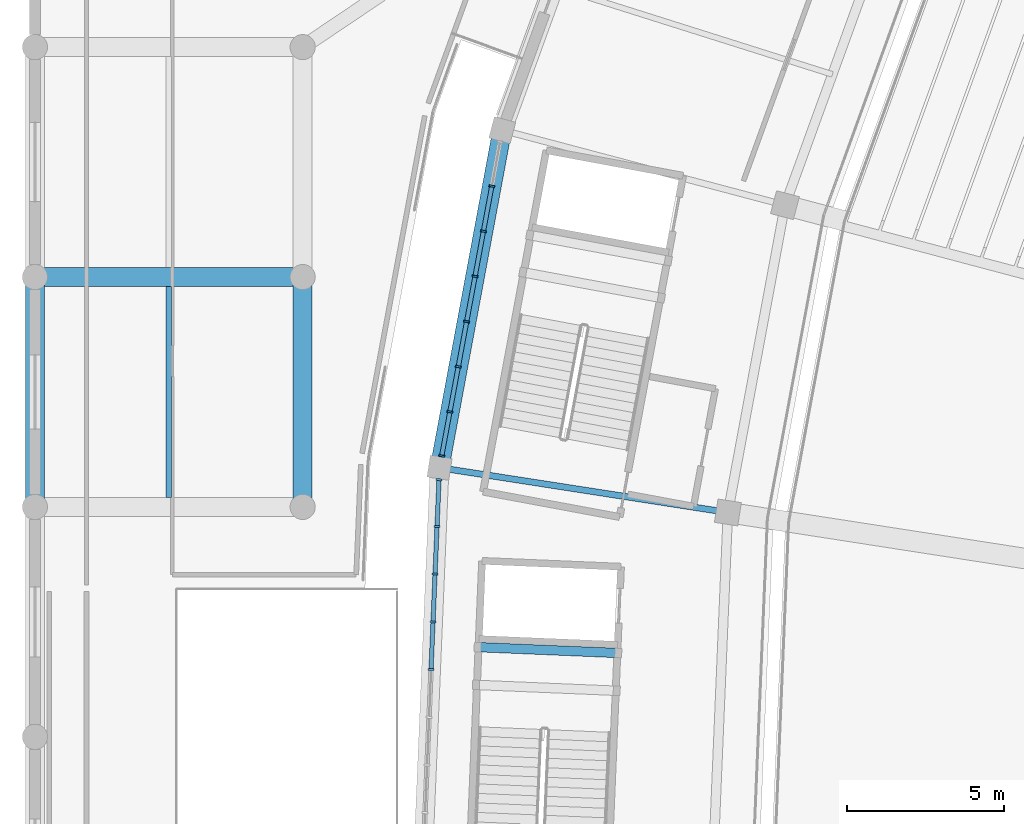
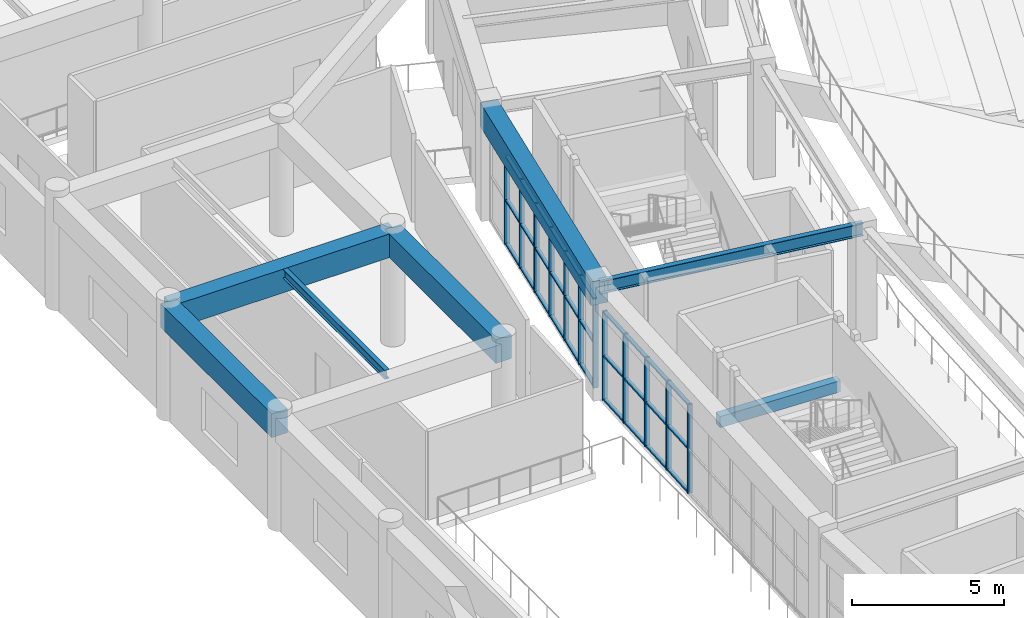
# One storey, part 28 of 137: 42 members, 7 beams, 2 elements without a shape of their own.
"""IFC4 building model written with IfcOpenShell, lengths in metres."""

from ifc_helpers import new_model, si_unit, direction, frame, origin, origin_2d, place, context, subcontext, project, spatial, rectangle, i_section, extrude, material, layer, layer_set, material_profile, profile_set, type_object, element, aggregate, save


model = new_model("IFC4")

# Units and contexts
model_context = context("Model", 3, precision=1e-05, world=origin(), true_north=direction((0.0, 1.0)))
body_context = subcontext(model_context, "Body", "Model", "MODEL_VIEW")
ifc_project = project(units=[si_unit("LENGTHUNIT", "METRE"), si_unit("AREAUNIT", "SQUARE_METRE"), si_unit("VOLUMEUNIT", "CUBIC_METRE"), si_unit("PLANEANGLEUNIT", "RADIAN"), si_unit("MASSUNIT", "GRAM", prefix="KILO")], contexts=[model_context])

# Site, building, storey
site_placement = place(None, origin())
site = spatial("IfcSite", under=ifc_project, at=site_placement, CompositionType="ELEMENT")
building_placement = place(site_placement, origin())
building = spatial("IfcBuilding", under=site, at=building_placement, Name="Mphavela Belvedere Stadium", CompositionType="ELEMENT")
storey_placement = place(building_placement, frame((0.0, 0.0, 19.199951171875)))
storey = spatial("IfcBuildingStorey", under=building, at=storey_placement, Name="L04", CompositionType="ELEMENT", Elevation=19.199951171875)

# Beams
ifc_material_1 = material(Name="Concrete C40/50", Category="concrete")
ifc_material_profile_1 = material_profile(ifc_material_1, rectangle(XDim=0.60009765625, YDim=0.949951171875, at=origin_2d()), Name="RC 600x950")
ifc_profile_set_1 = profile_set([ifc_material_profile_1], Name="Concrete C40/50")
beam_type_1 = type_object("IfcBeamType", Name="BM-ENTABLATURE-950", PredefinedType="SPANDREL", material=ifc_profile_set_1)
beam_1_placement = place(storey_placement, frame((14.83544921875, 113.5625, 4.074951171875), z_axis=(-0.18264260648, -0.983179372393, 0.0), x_axis=(0.983179372393, -0.18264260648, 0.0)))
element("IfcBeam", 1, at=beam_1_placement, inside=storey, type_object=beam_type_1, Name="Circumferential girder L04 R4-23", PredefinedType="SPANDREL", context=body_context, shape_type="SweptSolid", body=[
    extrude(rectangle(XDim=0.60009765625, YDim=0.949951171875, at=origin_2d()), origin(), (0.0, 0.0, 1.0), 10.90087890625),
])
beam_2_placement = place(storey_placement, frame((0.0, 101.60009765625, 4.06494140625), z_axis=(0.0, 1.0, 0.0), x_axis=(-1.0, 0.0, 0.0)))
element("IfcBeam", 2, at=beam_2_placement, inside=storey, type_object=beam_type_1, Name="West Planted Eaves Peristyle Colonnade entablature beam Y L04 1-8", PredefinedType="SPANDREL", context=body_context, shape_type="SweptSolid", body=[
    extrude(rectangle(XDim=0.60009765625, YDim=0.949951171875, at=origin_2d()), origin(), (0.0, 0.0, 1.0), 7.2998046875),
])
beam_3_placement = place(storey_placement, frame((0.0, 108.89990234375, 4.06494140625), z_axis=(1.0, 0.0, 0.0), x_axis=(0.0, 1.0, 0.0)))
element("IfcBeam", 3, at=beam_3_placement, inside=storey, type_object=beam_type_1, Name="West Planted Eaves Peristyle Colonnade entablature beam X L04 1-9", PredefinedType="SPANDREL", context=body_context, shape_type="SweptSolid", body=[
    extrude(rectangle(XDim=0.60009765625, YDim=0.949951171875, at=origin_2d()), origin(), (0.0, 0.0, 1.0), 8.5),
])
beam_4_placement = place(storey_placement, frame((8.5, 101.60009765625, 4.06494140625), z_axis=(0.0, 1.0, 0.0), x_axis=(-1.0, 0.0, 0.0)))
element("IfcBeam", 4, at=beam_4_placement, inside=storey, type_object=beam_type_1, Name="West Planted Eaves Peristyle Colonnade entablature beam Y L04 2-8", PredefinedType="SPANDREL", context=body_context, shape_type="SweptSolid", body=[
    extrude(rectangle(XDim=0.60009765625, YDim=0.949951171875, at=origin_2d()), origin(), (0.0, 0.0, 1.0), 7.2998046875),
])
ifc_material_2 = material(Name="Steel S355", Category="steel")
ifc_material_profile_2 = material_profile(ifc_material_2, i_section(OverallWidth=0.169921875, OverallDepth=0.360107421875, WebThickness=0.008056640625, FlangeThickness=0.0126953125, at=origin_2d()), Name="IPE 360")
ifc_profile_set_2 = profile_set([ifc_material_profile_2], Name="Steel S355")
beam_type_2 = type_object("IfcBeamType", Name="BM-JOIST-IPE360", PredefinedType="JOIST", material=ifc_profile_set_2)
beam_5_placement = place(storey_placement, frame((4.25, 101.89990234375, 4.360107421875), z_axis=(0.0, 1.0, 0.0), x_axis=(-1.0, 0.0, 0.0)))
element("IfcBeam", 5, at=beam_5_placement, inside=storey, type_object=beam_type_2, Name="West Planted Eaves Peristyle Colonnade secondary joist L04 1-8", PredefinedType="JOIST", context=body_context, shape_type="SweptSolid", body=[
    extrude(i_section(OverallWidth=0.169921875, OverallDepth=0.360107421875, WebThickness=0.008056640625, FlangeThickness=0.0126953125, at=origin_2d()), origin(), (0.0, 0.0, 1.0), 6.7001953125),
])
ifc_material_3 = material(Name="Concrete C40/50", Category="concrete")
ifc_material_profile_3 = material_profile(ifc_material_3, rectangle(XDim=0.300048828125, YDim=0.449951171875, at=origin_2d()), Name="RC 300x450")
ifc_profile_set_3 = profile_set([ifc_material_profile_3], Name="Concrete C40/50")
beam_type_3 = type_object("IfcBeamType", Name="BM-RC300x450", PredefinedType="BEAM", material=ifc_profile_set_3)
beam_6_placement = place(storey_placement, frame((18.5205078125, 96.96240234375, 1.97509765625), z_axis=(-0.999124533389, 0.041834994675, 0.0), x_axis=(-0.041834994675, -0.999124533389, 0.0)))
element("IfcBeam", 6, at=beam_6_placement, inside=storey, type_object=beam_type_3, Name="Core C07 landing trimmer beam L04-2", PredefinedType="BEAM", context=body_context, shape_type="SweptSolid", body=[
    extrude(rectangle(XDim=0.300048828125, YDim=0.449951171875, at=origin_2d()), origin(), (0.0, 0.0, 1.0), 4.47021484375),
])
ifc_material_4 = material(Name="Steel S355", Category="steel")
ifc_material_profile_4 = material_profile(ifc_material_4, i_section(OverallWidth=0.199951171875, OverallDepth=0.5, WebThickness=0.01025390625, FlangeThickness=0.01611328125, at=origin_2d()), Name="IPE 500")
ifc_profile_set_4 = profile_set([ifc_material_profile_4], Name="Steel S355")
beam_type_4 = type_object("IfcBeamType", Name="BM-STEEL-IPE500", PredefinedType="BEAM", material=ifc_profile_set_4)
beam_7_placement = place(storey_placement, frame((22.0, 101.4248046875, 4.300048828125), z_axis=(-0.988182369303, 0.153282761586, 0.0), x_axis=(-0.153282761586, -0.988182369303, 0.0)))
element("IfcBeam", 7, at=beam_7_placement, inside=storey, type_object=beam_type_4, Name="Radial concourse girder L04 R3R4-24", PredefinedType="BEAM", context=body_context, shape_type="SweptSolid", body=[
    extrude(i_section(OverallWidth=0.199951171875, OverallDepth=0.5, WebThickness=0.01025390625, FlangeThickness=0.01611328125, at=origin_2d()), origin(), (0.0, 0.0, 1.0), 9.264892578125),
])

# Curtain wall, members
ifc_material_5 = material(Name="Anodised bronze unitised curtain wall framing")
ifc_layer_1 = layer(ifc_material_5, 0.199951171875)
ifc_layer_set_1 = layer_set([ifc_layer_1], Name="Anodised bronze unitised curtain wall framing")
curtain_wall_type_1 = type_object("IfcCurtainWallType", Name="CW-UNIT-05", PredefinedType="USERDEFINED", material=ifc_layer_set_1)
curtain_wall_1_placement = place(storey_placement, origin())
curtain_wall_1 = element("IfcCurtainWall", 8, at=curtain_wall_1_placement, inside=storey, type_object=curtain_wall_type_1, Name="Belvedere colonnade curtain wall L04-23", ObjectType="UNITISED CURTAIN WALL", PredefinedType="USERDEFINED")
ifc_material_6 = material(Name="Anodised bronze extruded aluminium", Category="aluminium")
ifc_material_profile_5 = material_profile(ifc_material_6, rectangle(XDim=0.179931640625, YDim=0.06494140625, at=origin_2d()), Name="CW-MUL 180x65")
ifc_profile_set_5 = profile_set([ifc_material_profile_5], Name="Anodised bronze extruded aluminium")
member_type_1 = type_object("IfcMemberType", Name="CWM-180x65", PredefinedType="MULLION", material=ifc_profile_set_5)
member_1_placement = place(storey_placement, frame((14.505615234375, 111.787109375, 0.0), z_axis=(0.0, 0.0, 1.0), x_axis=(0.98318393569, -0.182618040183, 0.0)))
member_1 = element("IfcMember", 9, at=member_1_placement, type_object=member_type_1, Name="CW-05 mullion 2", PredefinedType="MULLION", context=body_context, shape_type="SweptSolid", body=[
    extrude(rectangle(XDim=0.179931640625, YDim=0.06494140625, at=origin_2d()), origin(), (0.0, 0.0, 1.0), 3.570068359375),
])
member_2_placement = place(storey_placement, frame((14.2392578125, 110.353759765625, 0.0), z_axis=(0.0, 0.0, 1.0), x_axis=(0.98318393569, -0.182618040183, 0.0)))
member_2 = element("IfcMember", 10, at=member_2_placement, type_object=member_type_1, Name="CW-05 mullion 3", PredefinedType="MULLION", context=body_context, shape_type="SweptSolid", body=[
    extrude(rectangle(XDim=0.179931640625, YDim=0.06494140625, at=origin_2d()), origin(), (0.0, 0.0, 1.0), 3.570068359375),
])
member_3_placement = place(storey_placement, frame((13.97314453125, 108.92041015625, 0.0), z_axis=(0.0, 0.0, 1.0), x_axis=(0.98318393569, -0.182618040183, 0.0)))
member_3 = element("IfcMember", 11, at=member_3_placement, type_object=member_type_1, Name="CW-05 mullion 4", PredefinedType="MULLION", context=body_context, shape_type="SweptSolid", body=[
    extrude(rectangle(XDim=0.179931640625, YDim=0.06494140625, at=origin_2d()), origin(), (0.0, 0.0, 1.0), 3.570068359375),
])
member_4_placement = place(storey_placement, frame((13.706787109375, 107.487060546875, 0.0), z_axis=(0.0, 0.0, 1.0), x_axis=(0.98318393569, -0.182618040183, 0.0)))
member_4 = element("IfcMember", 12, at=member_4_placement, type_object=member_type_1, Name="CW-05 mullion 5", PredefinedType="MULLION", context=body_context, shape_type="SweptSolid", body=[
    extrude(rectangle(XDim=0.179931640625, YDim=0.06494140625, at=origin_2d()), origin(), (0.0, 0.0, 1.0), 3.570068359375),
])
member_5_placement = place(storey_placement, frame((13.440673828125, 106.0537109375, 0.0), z_axis=(0.0, 0.0, 1.0), x_axis=(0.98318393569, -0.182618040183, 0.0)))
member_5 = element("IfcMember", 13, at=member_5_placement, type_object=member_type_1, Name="CW-05 mullion 6", PredefinedType="MULLION", context=body_context, shape_type="SweptSolid", body=[
    extrude(rectangle(XDim=0.179931640625, YDim=0.06494140625, at=origin_2d()), origin(), (0.0, 0.0, 1.0), 3.570068359375),
])
member_6_placement = place(storey_placement, frame((13.17431640625, 104.620361328125, 0.0), z_axis=(0.0, 0.0, 1.0), x_axis=(0.98318393569, -0.182618040183, 0.0)))
member_6 = element("IfcMember", 14, at=member_6_placement, type_object=member_type_1, Name="CW-05 mullion 7", PredefinedType="MULLION", context=body_context, shape_type="SweptSolid", body=[
    extrude(rectangle(XDim=0.179931640625, YDim=0.06494140625, at=origin_2d()), origin(), (0.0, 0.0, 1.0), 3.570068359375),
])
member_7_placement = place(storey_placement, frame((12.9140625, 103.218994140625, 0.0), z_axis=(0.0, 0.0, 1.0), x_axis=(0.98318393569, -0.182618040183, 0.0)))
member_7 = element("IfcMember", 15, at=member_7_placement, type_object=member_type_1, Name="CW-05 mullion 8", PredefinedType="MULLION", context=body_context, shape_type="SweptSolid", body=[
    extrude(rectangle(XDim=0.179931640625, YDim=0.06494140625, at=origin_2d()), origin(), (0.0, 0.0, 1.0), 3.570068359375),
])

ifc_material_7 = material(Name="Anodised bronze unitised curtain wall framing")
ifc_layer_2 = layer(ifc_material_7, 0.205078125)
ifc_layer_set_2 = layer_set([ifc_layer_2], Name="Anodised bronze unitised curtain wall framing")
curtain_wall_type_2 = type_object("IfcCurtainWallType", Name="CW-UNIT-06", PredefinedType="USERDEFINED", material=ifc_layer_set_2)
curtain_wall_2_placement = place(storey_placement, origin())
curtain_wall_2 = element("IfcCurtainWall", 16, at=curtain_wall_2_placement, inside=storey, type_object=curtain_wall_type_2, Name="Belvedere colonnade curtain wall L04-24", ObjectType="UNITISED CURTAIN WALL", PredefinedType="USERDEFINED")
member_8_placement = place(storey_placement, frame((12.82861328125, 102.46484375, 0.0), z_axis=(0.0, 0.0, 1.0), x_axis=(0.999121605563, -0.041904860066, 0.0)))
member_8 = element("IfcMember", 17, at=member_8_placement, type_object=member_type_1, Name="CW-06 mullion 1", PredefinedType="MULLION", context=body_context, shape_type="SweptSolid", body=[
    extrude(rectangle(XDim=0.179931640625, YDim=0.06494140625, at=origin_2d()), origin(), (0.0, 0.0, 1.0), 3.570068359375),
])
member_9_placement = place(storey_placement, frame((12.766357421875, 100.982421875, 0.0), z_axis=(0.0, 0.0, 1.0), x_axis=(0.999121605563, -0.041904860066, 0.0)))
member_9 = element("IfcMember", 18, at=member_9_placement, type_object=member_type_1, Name="CW-06 mullion 2", PredefinedType="MULLION", context=body_context, shape_type="SweptSolid", body=[
    extrude(rectangle(XDim=0.179931640625, YDim=0.06494140625, at=origin_2d()), origin(), (0.0, 0.0, 1.0), 3.570068359375),
])
member_10_placement = place(storey_placement, frame((12.702880859375, 99.46728515625, 0.0), z_axis=(0.0, 0.0, 1.0), x_axis=(0.999121605563, -0.041904860066, 0.0)))
member_10 = element("IfcMember", 19, at=member_10_placement, type_object=member_type_1, Name="CW-06 mullion 3", PredefinedType="MULLION", context=body_context, shape_type="SweptSolid", body=[
    extrude(rectangle(XDim=0.179931640625, YDim=0.06494140625, at=origin_2d()), origin(), (0.0, 0.0, 1.0), 3.570068359375),
])
member_11_placement = place(storey_placement, frame((12.639404296875, 97.952392578125, 0.0), z_axis=(0.0, 0.0, 1.0), x_axis=(0.999121605563, -0.041904860066, 0.0)))
member_11 = element("IfcMember", 20, at=member_11_placement, type_object=member_type_1, Name="CW-06 mullion 4", PredefinedType="MULLION", context=body_context, shape_type="SweptSolid", body=[
    extrude(rectangle(XDim=0.179931640625, YDim=0.06494140625, at=origin_2d()), origin(), (0.0, 0.0, 1.0), 3.570068359375),
])
member_12_placement = place(storey_placement, frame((12.575927734375, 96.4375, 0.0), z_axis=(0.0, 0.0, 1.0), x_axis=(0.999121605563, -0.041904860066, 0.0)))
member_12 = element("IfcMember", 21, at=member_12_placement, type_object=member_type_1, Name="CW-06 mullion 5", PredefinedType="MULLION", context=body_context, shape_type="SweptSolid", body=[
    extrude(rectangle(XDim=0.179931640625, YDim=0.06494140625, at=origin_2d()), origin(), (0.0, 0.0, 1.0), 3.570068359375),
])

# Member
ifc_material_8 = material(Name="Anodised bronze extruded aluminium", Category="aluminium")
ifc_material_profile_6 = material_profile(ifc_material_8, rectangle(XDim=0.139892578125, YDim=0.06005859375, at=origin_2d()), Name="CW-TRN 140x60")
ifc_profile_set_6 = profile_set([ifc_material_profile_6], Name="Anodised bronze extruded aluminium")
member_type_2 = type_object("IfcMemberType", Name="CWT-140x60", PredefinedType="USERDEFINED", material=ifc_profile_set_6)
member_13_placement = place(storey_placement, frame((14.499755859375, 111.755126953125, 0.030029296875), z_axis=(-0.1826478673, -0.98317839509, 0.0), x_axis=(0.98317839509, -0.1826478673, 0.0)))
member_13 = element("IfcMember", 22, at=member_13_placement, type_object=member_type_2, Name="CW-05 transom 2.1", ObjectType="TRANSOM", PredefinedType="USERDEFINED", context=body_context, shape_type="SweptSolid", body=[
    extrude(rectangle(XDim=0.139892578125, YDim=0.06005859375, at=origin_2d()), origin(), (0.0, 0.0, 1.0), 1.392822265625),
])

member_14_placement = place(storey_placement, frame((14.499755859375, 111.755126953125, 1.78515625), z_axis=(-0.1826478673, -0.98317839509, 0.0), x_axis=(0.98317839509, -0.1826478673, 0.0)))
member_14 = element("IfcMember", 23, at=member_14_placement, type_object=member_type_2, Name="CW-05 transom 2.2", ObjectType="TRANSOM", PredefinedType="USERDEFINED", context=body_context, shape_type="SweptSolid", body=[
    extrude(rectangle(XDim=0.139892578125, YDim=0.06005859375, at=origin_2d()), origin(), (0.0, 0.0, 1.0), 1.392822265625),
])

member_15_placement = place(storey_placement, frame((14.499755859375, 111.755126953125, 3.5400390625), z_axis=(-0.1826478673, -0.98317839509, 0.0), x_axis=(0.98317839509, -0.1826478673, 0.0)))
member_15 = element("IfcMember", 24, at=member_15_placement, type_object=member_type_2, Name="CW-05 transom 2.3", ObjectType="TRANSOM", PredefinedType="USERDEFINED", context=body_context, shape_type="SweptSolid", body=[
    extrude(rectangle(XDim=0.139892578125, YDim=0.06005859375, at=origin_2d()), origin(), (0.0, 0.0, 1.0), 1.392822265625),
])

member_16_placement = place(storey_placement, frame((14.2333984375, 110.32177734375, 0.030029296875), z_axis=(-0.1826478673, -0.98317839509, 0.0), x_axis=(0.98317839509, -0.1826478673, 0.0)))
member_16 = element("IfcMember", 25, at=member_16_placement, type_object=member_type_2, Name="CW-05 transom 3.1", ObjectType="TRANSOM", PredefinedType="USERDEFINED", context=body_context, shape_type="SweptSolid", body=[
    extrude(rectangle(XDim=0.139892578125, YDim=0.06005859375, at=origin_2d()), origin(), (0.0, 0.0, 1.0), 1.392822265625),
])

member_17_placement = place(storey_placement, frame((14.2333984375, 110.32177734375, 1.78515625), z_axis=(-0.1826478673, -0.98317839509, 0.0), x_axis=(0.98317839509, -0.1826478673, 0.0)))
member_17 = element("IfcMember", 26, at=member_17_placement, type_object=member_type_2, Name="CW-05 transom 3.2", ObjectType="TRANSOM", PredefinedType="USERDEFINED", context=body_context, shape_type="SweptSolid", body=[
    extrude(rectangle(XDim=0.139892578125, YDim=0.06005859375, at=origin_2d()), origin(), (0.0, 0.0, 1.0), 1.392822265625),
])

member_18_placement = place(storey_placement, frame((14.2333984375, 110.32177734375, 3.5400390625), z_axis=(-0.1826478673, -0.98317839509, 0.0), x_axis=(0.98317839509, -0.1826478673, 0.0)))
member_18 = element("IfcMember", 27, at=member_18_placement, type_object=member_type_2, Name="CW-05 transom 3.3", ObjectType="TRANSOM", PredefinedType="USERDEFINED", context=body_context, shape_type="SweptSolid", body=[
    extrude(rectangle(XDim=0.139892578125, YDim=0.06005859375, at=origin_2d()), origin(), (0.0, 0.0, 1.0), 1.392822265625),
])

member_19_placement = place(storey_placement, frame((13.96728515625, 108.888427734375, 0.030029296875), z_axis=(-0.1826478673, -0.98317839509, 0.0), x_axis=(0.98317839509, -0.1826478673, 0.0)))
member_19 = element("IfcMember", 28, at=member_19_placement, type_object=member_type_2, Name="CW-05 transom 4.1", ObjectType="TRANSOM", PredefinedType="USERDEFINED", context=body_context, shape_type="SweptSolid", body=[
    extrude(rectangle(XDim=0.139892578125, YDim=0.06005859375, at=origin_2d()), origin(), (0.0, 0.0, 1.0), 1.392822265625),
])

member_20_placement = place(storey_placement, frame((13.96728515625, 108.888427734375, 1.78515625), z_axis=(-0.1826478673, -0.98317839509, 0.0), x_axis=(0.98317839509, -0.1826478673, 0.0)))
member_20 = element("IfcMember", 29, at=member_20_placement, type_object=member_type_2, Name="CW-05 transom 4.2", ObjectType="TRANSOM", PredefinedType="USERDEFINED", context=body_context, shape_type="SweptSolid", body=[
    extrude(rectangle(XDim=0.139892578125, YDim=0.06005859375, at=origin_2d()), origin(), (0.0, 0.0, 1.0), 1.392822265625),
])

member_21_placement = place(storey_placement, frame((13.96728515625, 108.888427734375, 3.5400390625), z_axis=(-0.1826478673, -0.98317839509, 0.0), x_axis=(0.98317839509, -0.1826478673, 0.0)))
member_21 = element("IfcMember", 30, at=member_21_placement, type_object=member_type_2, Name="CW-05 transom 4.3", ObjectType="TRANSOM", PredefinedType="USERDEFINED", context=body_context, shape_type="SweptSolid", body=[
    extrude(rectangle(XDim=0.139892578125, YDim=0.06005859375, at=origin_2d()), origin(), (0.0, 0.0, 1.0), 1.392822265625),
])

member_22_placement = place(storey_placement, frame((13.700927734375, 107.455078125, 0.030029296875), z_axis=(-0.1826478673, -0.98317839509, 0.0), x_axis=(0.98317839509, -0.1826478673, 0.0)))
member_22 = element("IfcMember", 31, at=member_22_placement, type_object=member_type_2, Name="CW-05 transom 5.1", ObjectType="TRANSOM", PredefinedType="USERDEFINED", context=body_context, shape_type="SweptSolid", body=[
    extrude(rectangle(XDim=0.139892578125, YDim=0.06005859375, at=origin_2d()), origin(), (0.0, 0.0, 1.0), 1.392822265625),
])

member_23_placement = place(storey_placement, frame((13.700927734375, 107.455078125, 1.78515625), z_axis=(-0.1826478673, -0.98317839509, 0.0), x_axis=(0.98317839509, -0.1826478673, 0.0)))
member_23 = element("IfcMember", 32, at=member_23_placement, type_object=member_type_2, Name="CW-05 transom 5.2", ObjectType="TRANSOM", PredefinedType="USERDEFINED", context=body_context, shape_type="SweptSolid", body=[
    extrude(rectangle(XDim=0.139892578125, YDim=0.06005859375, at=origin_2d()), origin(), (0.0, 0.0, 1.0), 1.392822265625),
])

member_24_placement = place(storey_placement, frame((13.700927734375, 107.455078125, 3.5400390625), z_axis=(-0.1826478673, -0.98317839509, 0.0), x_axis=(0.98317839509, -0.1826478673, 0.0)))
member_24 = element("IfcMember", 33, at=member_24_placement, type_object=member_type_2, Name="CW-05 transom 5.3", ObjectType="TRANSOM", PredefinedType="USERDEFINED", context=body_context, shape_type="SweptSolid", body=[
    extrude(rectangle(XDim=0.139892578125, YDim=0.06005859375, at=origin_2d()), origin(), (0.0, 0.0, 1.0), 1.392822265625),
])

member_25_placement = place(storey_placement, frame((13.434814453125, 106.021728515625, 0.030029296875), z_axis=(-0.1826478673, -0.98317839509, 0.0), x_axis=(0.98317839509, -0.1826478673, 0.0)))
member_25 = element("IfcMember", 34, at=member_25_placement, type_object=member_type_2, Name="CW-05 transom 6.1", ObjectType="TRANSOM", PredefinedType="USERDEFINED", context=body_context, shape_type="SweptSolid", body=[
    extrude(rectangle(XDim=0.139892578125, YDim=0.06005859375, at=origin_2d()), origin(), (0.0, 0.0, 1.0), 1.392822265625),
])

member_26_placement = place(storey_placement, frame((13.434814453125, 106.021728515625, 1.78515625), z_axis=(-0.1826478673, -0.98317839509, 0.0), x_axis=(0.98317839509, -0.1826478673, 0.0)))
member_26 = element("IfcMember", 35, at=member_26_placement, type_object=member_type_2, Name="CW-05 transom 6.2", ObjectType="TRANSOM", PredefinedType="USERDEFINED", context=body_context, shape_type="SweptSolid", body=[
    extrude(rectangle(XDim=0.139892578125, YDim=0.06005859375, at=origin_2d()), origin(), (0.0, 0.0, 1.0), 1.392822265625),
])

member_27_placement = place(storey_placement, frame((13.434814453125, 106.021728515625, 3.5400390625), z_axis=(-0.1826478673, -0.98317839509, 0.0), x_axis=(0.98317839509, -0.1826478673, 0.0)))
member_27 = element("IfcMember", 36, at=member_27_placement, type_object=member_type_2, Name="CW-05 transom 6.3", ObjectType="TRANSOM", PredefinedType="USERDEFINED", context=body_context, shape_type="SweptSolid", body=[
    extrude(rectangle(XDim=0.139892578125, YDim=0.06005859375, at=origin_2d()), origin(), (0.0, 0.0, 1.0), 1.392822265625),
])

member_28_placement = place(storey_placement, frame((13.16845703125, 104.58837890625, 0.030029296875), z_axis=(-0.182532708609, -0.983199781473, 0.0), x_axis=(0.983199781473, -0.182532708609, 0.0)))
member_28 = element("IfcMember", 37, at=member_28_placement, type_object=member_type_2, Name="CW-05 transom 7.1", ObjectType="TRANSOM", PredefinedType="USERDEFINED", context=body_context, shape_type="SweptSolid", body=[
    extrude(rectangle(XDim=0.139892578125, YDim=0.06005859375, at=origin_2d()), origin(), (0.0, 0.0, 1.0), 1.3603515625),
])

member_29_placement = place(storey_placement, frame((13.16845703125, 104.58837890625, 1.78515625), z_axis=(-0.182532708609, -0.983199781473, 0.0), x_axis=(0.983199781473, -0.182532708609, 0.0)))
member_29 = element("IfcMember", 38, at=member_29_placement, type_object=member_type_2, Name="CW-05 transom 7.2", ObjectType="TRANSOM", PredefinedType="USERDEFINED", context=body_context, shape_type="SweptSolid", body=[
    extrude(rectangle(XDim=0.139892578125, YDim=0.06005859375, at=origin_2d()), origin(), (0.0, 0.0, 1.0), 1.3603515625),
])

member_30_placement = place(storey_placement, frame((13.16845703125, 104.58837890625, 3.5400390625), z_axis=(-0.182532708609, -0.983199781473, 0.0), x_axis=(0.983199781473, -0.182532708609, 0.0)))
member_30 = element("IfcMember", 39, at=member_30_placement, type_object=member_type_2, Name="CW-05 transom 7.3", ObjectType="TRANSOM", PredefinedType="USERDEFINED", context=body_context, shape_type="SweptSolid", body=[
    extrude(rectangle(XDim=0.139892578125, YDim=0.06005859375, at=origin_2d()), origin(), (0.0, 0.0, 1.0), 1.3603515625),
])

aggregate(curtain_wall_1, [member_1, member_2, member_3, member_4, member_5, member_6, member_7, member_13, member_14, member_15, member_16, member_17, member_18, member_19, member_20, member_21, member_22, member_23, member_24, member_25, member_26, member_27, member_28, member_29, member_30])

member_31_placement = place(storey_placement, frame((12.827392578125, 102.432373046875, 0.030029296875), z_axis=(-0.041988428468, -0.999118097061, 0.0), x_axis=(0.999118097061, -0.041988428468, 0.0)))
member_31 = element("IfcMember", 40, at=member_31_placement, type_object=member_type_2, Name="CW-06 transom 1.1", ObjectType="TRANSOM", PredefinedType="USERDEFINED", context=body_context, shape_type="SweptSolid", body=[
    extrude(rectangle(XDim=0.139892578125, YDim=0.06005859375, at=origin_2d()), origin(), (0.0, 0.0, 1.0), 1.418701171875),
])

member_32_placement = place(storey_placement, frame((12.827392578125, 102.432373046875, 1.78515625), z_axis=(-0.041988428468, -0.999118097061, 0.0), x_axis=(0.999118097061, -0.041988428468, 0.0)))
member_32 = element("IfcMember", 41, at=member_32_placement, type_object=member_type_2, Name="CW-06 transom 1.2", ObjectType="TRANSOM", PredefinedType="USERDEFINED", context=body_context, shape_type="SweptSolid", body=[
    extrude(rectangle(XDim=0.139892578125, YDim=0.06005859375, at=origin_2d()), origin(), (0.0, 0.0, 1.0), 1.418701171875),
])

member_33_placement = place(storey_placement, frame((12.827392578125, 102.432373046875, 3.5400390625), z_axis=(-0.041988428468, -0.999118097061, 0.0), x_axis=(0.999118097061, -0.041988428468, 0.0)))
member_33 = element("IfcMember", 42, at=member_33_placement, type_object=member_type_2, Name="CW-06 transom 1.3", ObjectType="TRANSOM", PredefinedType="USERDEFINED", context=body_context, shape_type="SweptSolid", body=[
    extrude(rectangle(XDim=0.139892578125, YDim=0.06005859375, at=origin_2d()), origin(), (0.0, 0.0, 1.0), 1.418701171875),
])

member_34_placement = place(storey_placement, frame((12.76513671875, 100.949951171875, 0.030029296875), z_axis=(-0.041882409795, -0.999122546913, 0.0), x_axis=(0.999122546913, -0.041882409795, 0.0)))
member_34 = element("IfcMember", 43, at=member_34_placement, type_object=member_type_2, Name="CW-06 transom 2.1", ObjectType="TRANSOM", PredefinedType="USERDEFINED", context=body_context, shape_type="SweptSolid", body=[
    extrude(rectangle(XDim=0.139892578125, YDim=0.06005859375, at=origin_2d()), origin(), (0.0, 0.0, 1.0), 1.451416015625),
])

member_35_placement = place(storey_placement, frame((12.76513671875, 100.949951171875, 1.78515625), z_axis=(-0.041882409795, -0.999122546913, 0.0), x_axis=(0.999122546913, -0.041882409795, 0.0)))
member_35 = element("IfcMember", 44, at=member_35_placement, type_object=member_type_2, Name="CW-06 transom 2.2", ObjectType="TRANSOM", PredefinedType="USERDEFINED", context=body_context, shape_type="SweptSolid", body=[
    extrude(rectangle(XDim=0.139892578125, YDim=0.06005859375, at=origin_2d()), origin(), (0.0, 0.0, 1.0), 1.451416015625),
])

member_36_placement = place(storey_placement, frame((12.76513671875, 100.949951171875, 3.5400390625), z_axis=(-0.041882409795, -0.999122546913, 0.0), x_axis=(0.999122546913, -0.041882409795, 0.0)))
member_36 = element("IfcMember", 45, at=member_36_placement, type_object=member_type_2, Name="CW-06 transom 2.3", ObjectType="TRANSOM", PredefinedType="USERDEFINED", context=body_context, shape_type="SweptSolid", body=[
    extrude(rectangle(XDim=0.139892578125, YDim=0.06005859375, at=origin_2d()), origin(), (0.0, 0.0, 1.0), 1.451416015625),
])

member_37_placement = place(storey_placement, frame((12.70166015625, 99.434814453125, 0.030029296875), z_axis=(-0.042057383264, -0.999115196818, 0.0), x_axis=(0.999115196818, -0.042057383264, 0.0)))
member_37 = element("IfcMember", 46, at=member_37_placement, type_object=member_type_2, Name="CW-06 transom 3.1", ObjectType="TRANSOM", PredefinedType="USERDEFINED", context=body_context, shape_type="SweptSolid", body=[
    extrude(rectangle(XDim=0.139892578125, YDim=0.06005859375, at=origin_2d()), origin(), (0.0, 0.0, 1.0), 1.451171875),
])

member_38_placement = place(storey_placement, frame((12.70166015625, 99.434814453125, 1.78515625), z_axis=(-0.042057383264, -0.999115196818, 0.0), x_axis=(0.999115196818, -0.042057383264, 0.0)))
member_38 = element("IfcMember", 47, at=member_38_placement, type_object=member_type_2, Name="CW-06 transom 3.2", ObjectType="TRANSOM", PredefinedType="USERDEFINED", context=body_context, shape_type="SweptSolid", body=[
    extrude(rectangle(XDim=0.139892578125, YDim=0.06005859375, at=origin_2d()), origin(), (0.0, 0.0, 1.0), 1.451171875),
])

member_39_placement = place(storey_placement, frame((12.70166015625, 99.434814453125, 3.5400390625), z_axis=(-0.042057383264, -0.999115196818, 0.0), x_axis=(0.999115196818, -0.042057383264, 0.0)))
member_39 = element("IfcMember", 48, at=member_39_placement, type_object=member_type_2, Name="CW-06 transom 3.3", ObjectType="TRANSOM", PredefinedType="USERDEFINED", context=body_context, shape_type="SweptSolid", body=[
    extrude(rectangle(XDim=0.139892578125, YDim=0.06005859375, at=origin_2d()), origin(), (0.0, 0.0, 1.0), 1.451171875),
])

member_40_placement = place(storey_placement, frame((12.637939453125, 97.919921875, 0.030029296875), z_axis=(-0.041889449519, -0.999122251789, 0.0), x_axis=(0.999122251789, -0.041889449519, 0.0)))
member_40 = element("IfcMember", 49, at=member_40_placement, type_object=member_type_2, Name="CW-06 transom 4.1", ObjectType="TRANSOM", PredefinedType="USERDEFINED", context=body_context, shape_type="SweptSolid", body=[
    extrude(rectangle(XDim=0.139892578125, YDim=0.06005859375, at=origin_2d()), origin(), (0.0, 0.0, 1.0), 1.451171875),
])

member_41_placement = place(storey_placement, frame((12.637939453125, 97.919921875, 1.78515625), z_axis=(-0.041889449519, -0.999122251789, 0.0), x_axis=(0.999122251789, -0.041889449519, 0.0)))
member_41 = element("IfcMember", 50, at=member_41_placement, type_object=member_type_2, Name="CW-06 transom 4.2", ObjectType="TRANSOM", PredefinedType="USERDEFINED", context=body_context, shape_type="SweptSolid", body=[
    extrude(rectangle(XDim=0.139892578125, YDim=0.06005859375, at=origin_2d()), origin(), (0.0, 0.0, 1.0), 1.451171875),
])

member_42_placement = place(storey_placement, frame((12.637939453125, 97.919921875, 3.5400390625), z_axis=(-0.041889449519, -0.999122251789, 0.0), x_axis=(0.999122251789, -0.041889449519, 0.0)))
member_42 = element("IfcMember", 51, at=member_42_placement, type_object=member_type_2, Name="CW-06 transom 4.3", ObjectType="TRANSOM", PredefinedType="USERDEFINED", context=body_context, shape_type="SweptSolid", body=[
    extrude(rectangle(XDim=0.139892578125, YDim=0.06005859375, at=origin_2d()), origin(), (0.0, 0.0, 1.0), 1.451171875),
])

aggregate(curtain_wall_2, [member_8, member_9, member_10, member_11, member_12, member_31, member_32, member_33, member_34, member_35, member_36, member_37, member_38, member_39, member_40, member_41, member_42])

save(model, "model.ifc")
